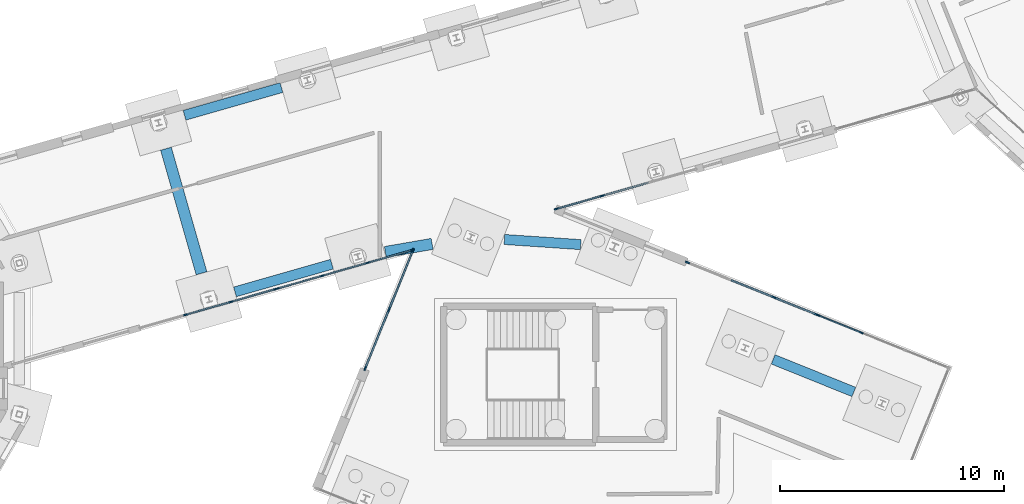
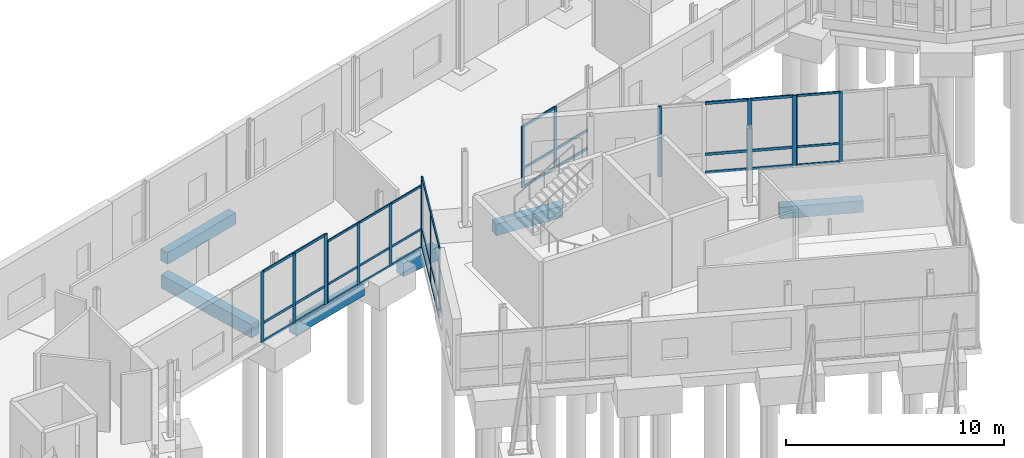
# One storey, part 42 of 113: 52 members, 6 beams, 6 elements without a shape of their own.
"""IFC4 building model written with IfcOpenShell, lengths in metres."""

from ifc_helpers import new_model, si_unit, direction, frame, origin, origin_2d, place, context, subcontext, project, spatial, rectangle, extrude, material, material_profile, profile_set, type_object, element, aggregate, save


model = new_model("IFC4")

# Units and contexts
model_context = context("Model", 3, precision=1e-05, world=origin(), true_north=direction((0.0, 1.0)))
body_context = subcontext(model_context, "Body", "Model", "MODEL_VIEW")
ifc_project = project(units=[si_unit("LENGTHUNIT", "METRE"), si_unit("AREAUNIT", "SQUARE_METRE"), si_unit("VOLUMEUNIT", "CUBIC_METRE"), si_unit("PLANEANGLEUNIT", "RADIAN"), si_unit("MASSUNIT", "GRAM", prefix="KILO")], contexts=[model_context])

# Site, building, storey
site_placement = place(None, origin())
site = spatial("IfcSite", under=ifc_project, at=site_placement, CompositionType="ELEMENT")
building_placement = place(site_placement, origin())
building = spatial("IfcBuilding", under=site, at=building_placement, Name="Wrenclough Park School", CompositionType="ELEMENT")
storey_placement = place(building_placement, origin())
storey = spatial("IfcBuildingStorey", under=building, at=storey_placement, Name="L00", CompositionType="ELEMENT", Elevation=0.0)

# Curtain wall, members
ifc_material_1 = material(Name="Thermally broken aluminium and low-e glass curtain wall", Category="aluminium")
curtain_wall_type_1 = type_object("IfcCurtainWallType", Name="ENV-CW-09", PredefinedType="USERDEFINED", material=ifc_material_1)
curtain_wall_1_placement = place(storey_placement, origin())
curtain_wall_1 = element("IfcCurtainWall", 1, at=curtain_wall_1_placement, inside=storey, type_object=curtain_wall_type_1, Name="L00 recessed curtain wall assembly 072", ObjectType="CURTAIN WALL", PredefinedType="USERDEFINED")
ifc_material_2 = material(Name="Thermally broken anodised aluminium", Category="aluminium")
ifc_material_profile_1 = material_profile(ifc_material_2, rectangle(XDim=0.06005859375, YDim=0.159912109375, at=origin_2d()), Name="AL MULLION 60x160")
ifc_profile_set_1 = profile_set([ifc_material_profile_1], Name="Thermally broken anodised aluminium")
member_type_1 = type_object("IfcMemberType", Name="ENV-CWM-1", PredefinedType="MULLION", material=ifc_profile_set_1)
member_1_placement = place(storey_placement, frame((64.7919921875, 90.540771484375, 0.0), z_axis=(0.0, 0.0, 1.0), x_axis=(0.3746064653, 0.927183906329, 0.0)))
member_1 = element("IfcMember", 2, at=member_1_placement, type_object=member_type_1, Name="CW-09 mullion 1", PredefinedType="MULLION", context=body_context, shape_type="SweptSolid", body=[
    extrude(rectangle(XDim=0.06005859375, YDim=0.159912109375, at=origin_2d()), origin(), (0.0, 0.0, 1.0), 3.93994140625),
])
member_2_placement = place(storey_placement, frame((66.713134765625, 89.7646484375, 0.0), z_axis=(0.0, 0.0, 1.0), x_axis=(0.3746064653, 0.927183906329, 0.0)))
member_2 = element("IfcMember", 3, at=member_2_placement, type_object=member_type_1, Name="CW-09 mullion 2", PredefinedType="MULLION", context=body_context, shape_type="SweptSolid", body=[
    extrude(rectangle(XDim=0.06005859375, YDim=0.159912109375, at=origin_2d()), origin(), (0.0, 0.0, 1.0), 3.93994140625),
])

curtain_wall_type_2 = type_object("IfcCurtainWallType", Name="ENV-CW-15", PredefinedType="USERDEFINED", material=ifc_material_1)
curtain_wall_2_placement = place(storey_placement, origin())
curtain_wall_2 = element("IfcCurtainWall", 4, at=curtain_wall_2_placement, inside=storey, type_object=curtain_wall_type_2, Name="L00 recessed curtain wall assembly 078", ObjectType="CURTAIN WALL", PredefinedType="USERDEFINED")
member_3_placement = place(storey_placement, frame((46.657470703125, 93.45703125, 0.0), z_axis=(0.0, 0.0, 1.0), x_axis=(0.274710696459, -0.961526927991, 0.0)))
member_3 = element("IfcMember", 5, at=member_3_placement, type_object=member_type_1, Name="CW-15 mullion 1", PredefinedType="MULLION", context=body_context, shape_type="SweptSolid", body=[
    extrude(rectangle(XDim=0.06005859375, YDim=0.159912109375, at=origin_2d()), origin(), (0.0, 0.0, 1.0), 3.488525390625),
])
member_4_placement = place(storey_placement, frame((44.6572265625, 92.885498046875, 0.0), z_axis=(0.0, 0.0, 1.0), x_axis=(0.274710696459, -0.961526927991, 0.0)))
member_4 = element("IfcMember", 6, at=member_4_placement, type_object=member_type_1, Name="CW-15 mullion 2", PredefinedType="MULLION", context=body_context, shape_type="SweptSolid", body=[
    extrude(rectangle(XDim=0.06005859375, YDim=0.159912109375, at=origin_2d()), origin(), (0.0, 0.0, 1.0), 3.488525390625),
])
member_5_placement = place(storey_placement, frame((42.628173828125, 92.305908203125, 0.0), z_axis=(0.0, 0.0, 1.0), x_axis=(0.274710696459, -0.961526927991, 0.0)))
member_5 = element("IfcMember", 7, at=member_5_placement, type_object=member_type_1, Name="CW-15 mullion 3", PredefinedType="MULLION", context=body_context, shape_type="SweptSolid", body=[
    extrude(rectangle(XDim=0.06005859375, YDim=0.159912109375, at=origin_2d()), origin(), (0.0, 0.0, 1.0), 3.488525390625),
])
member_6_placement = place(storey_placement, frame((40.6279296875, 91.734375, 0.0), z_axis=(0.0, 0.0, 1.0), x_axis=(0.274710696459, -0.961526927991, 0.0)))
member_6 = element("IfcMember", 8, at=member_6_placement, type_object=member_type_1, Name="CW-15 mullion 4", PredefinedType="MULLION", context=body_context, shape_type="SweptSolid", body=[
    extrude(rectangle(XDim=0.06005859375, YDim=0.159912109375, at=origin_2d()), origin(), (0.0, 0.0, 1.0), 3.488525390625),
])

curtain_wall_type_3 = type_object("IfcCurtainWallType", Name="ENV-CW-07", PredefinedType="USERDEFINED", material=ifc_material_1)
curtain_wall_3_placement = place(storey_placement, origin())
curtain_wall_3 = element("IfcCurtainWall", 9, at=curtain_wall_3_placement, inside=storey, type_object=curtain_wall_type_3, Name="L00 recessed curtain wall assembly 070", ObjectType="CURTAIN WALL", PredefinedType="USERDEFINED")
ifc_material_profile_2 = material_profile(ifc_material_2, rectangle(XDim=0.06494140625, YDim=0.179931640625, at=origin_2d()), Name="AL MULLION 65x180")
ifc_profile_set_2 = profile_set([ifc_material_profile_2], Name="Thermally broken anodised aluminium")
member_type_2 = type_object("IfcMemberType", Name="ENV-CWM-2", PredefinedType="MULLION", material=ifc_profile_set_2)
member_7_placement = place(storey_placement, frame((55.13916015625, 95.880615234375, 0.0), z_axis=(0.0, 0.0, 1.0), x_axis=(0.274723159598, -0.961523367152, 0.0)))
member_7 = element("IfcMember", 10, at=member_7_placement, type_object=member_type_2, Name="CW-07 mullion 3", PredefinedType="MULLION", context=body_context, shape_type="SweptSolid", body=[
    extrude(rectangle(XDim=0.06494140625, YDim=0.179931640625, at=origin_2d()), origin(), (0.0, 0.0, 1.0), 3.44189453125),
])
member_8_placement = place(storey_placement, frame((53.0869140625, 95.294189453125, 0.0), z_axis=(0.0, 0.0, 1.0), x_axis=(0.274723159598, -0.961523367152, 0.0)))
member_8 = element("IfcMember", 11, at=member_8_placement, type_object=member_type_2, Name="CW-07 mullion 4", PredefinedType="MULLION", context=body_context, shape_type="SweptSolid", body=[
    extrude(rectangle(XDim=0.06494140625, YDim=0.179931640625, at=origin_2d()), origin(), (0.0, 0.0, 1.0), 3.44189453125),
])

curtain_wall_type_4 = type_object("IfcCurtainWallType", Name="ENV-CW-16", PredefinedType="USERDEFINED", material=ifc_material_1)
curtain_wall_4_placement = place(storey_placement, origin())
curtain_wall_4 = element("IfcCurtainWall", 12, at=curtain_wall_4_placement, inside=storey, type_object=curtain_wall_type_4, Name="L00 recessed curtain wall assembly 079", ObjectType="CURTAIN WALL", PredefinedType="USERDEFINED")
member_9_placement = place(storey_placement, frame((40.560302734375, 91.715087890625, 0.0), z_axis=(0.0, 0.0, 1.0), x_axis=(0.274721127899, -0.96152394764, 0.0)))
member_9 = element("IfcMember", 13, at=member_9_placement, type_object=member_type_2, Name="CW-16 mullion 1", PredefinedType="MULLION", context=body_context, shape_type="SweptSolid", body=[
    extrude(rectangle(XDim=0.06494140625, YDim=0.179931640625, at=origin_2d()), origin(), (0.0, 0.0, 1.0), 3.93994140625),
])
member_10_placement = place(storey_placement, frame((38.5625, 91.144287109375, 0.0), z_axis=(0.0, 0.0, 1.0), x_axis=(0.274721127899, -0.96152394764, 0.0)))
member_10 = element("IfcMember", 14, at=member_10_placement, type_object=member_type_2, Name="CW-16 mullion 2", PredefinedType="MULLION", context=body_context, shape_type="SweptSolid", body=[
    extrude(rectangle(XDim=0.06494140625, YDim=0.179931640625, at=origin_2d()), origin(), (0.0, 0.0, 1.0), 3.93994140625),
])
member_11_placement = place(storey_placement, frame((36.533447265625, 90.564453125, 0.0), z_axis=(0.0, 0.0, 1.0), x_axis=(0.274721127899, -0.96152394764, 0.0)))
member_11 = element("IfcMember", 15, at=member_11_placement, type_object=member_type_2, Name="CW-16 mullion 3", PredefinedType="MULLION", context=body_context, shape_type="SweptSolid", body=[
    extrude(rectangle(XDim=0.06494140625, YDim=0.179931640625, at=origin_2d()), origin(), (0.0, 0.0, 1.0), 3.93994140625),
])

curtain_wall_type_5 = type_object("IfcCurtainWallType", Name="ENV-CW-08", PredefinedType="USERDEFINED", material=ifc_material_1)
curtain_wall_5_placement = place(storey_placement, origin())
curtain_wall_5 = element("IfcCurtainWall", 16, at=curtain_wall_5_placement, inside=storey, type_object=curtain_wall_type_5, Name="L00 recessed curtain wall assembly 071", ObjectType="CURTAIN WALL", PredefinedType="USERDEFINED")
ifc_material_profile_3 = material_profile(ifc_material_2, rectangle(XDim=0.070068359375, YDim=0.199951171875, at=origin_2d()), Name="AL MULLION 70x200")
ifc_profile_set_3 = profile_set([ifc_material_profile_3], Name="Thermally broken anodised aluminium")
member_type_3 = type_object("IfcMemberType", Name="ENV-CWM-3", PredefinedType="MULLION", material=ifc_profile_set_3)
member_12_placement = place(storey_placement, frame((58.942138671875, 92.904296875, 0.0), z_axis=(0.0, 0.0, 1.0), x_axis=(0.374592832791, 0.927189414101, 0.0)))
member_12 = element("IfcMember", 17, at=member_12_placement, type_object=member_type_3, Name="CW-08 mullion 1", PredefinedType="MULLION", context=body_context, shape_type="SweptSolid", body=[
    extrude(rectangle(XDim=0.070068359375, YDim=0.199951171875, at=origin_2d()), origin(), (0.0, 0.0, 1.0), 3.93994140625),
])
member_13_placement = place(storey_placement, frame((62.8076171875, 91.342529296875, 0.0), z_axis=(0.0, 0.0, 1.0), x_axis=(0.374592832791, 0.927189414101, 0.0)))
member_13 = element("IfcMember", 18, at=member_13_placement, type_object=member_type_3, Name="CW-08 mullion 3", PredefinedType="MULLION", context=body_context, shape_type="SweptSolid", body=[
    extrude(rectangle(XDim=0.070068359375, YDim=0.199951171875, at=origin_2d()), origin(), (0.0, 0.0, 1.0), 3.93994140625),
])
member_14_placement = place(storey_placement, frame((64.724365234375, 90.568115234375, 0.0), z_axis=(0.0, 0.0, 1.0), x_axis=(0.374592832791, 0.927189414101, 0.0)))
member_14 = element("IfcMember", 19, at=member_14_placement, type_object=member_type_3, Name="CW-08 mullion 4", PredefinedType="MULLION", context=body_context, shape_type="SweptSolid", body=[
    extrude(rectangle(XDim=0.070068359375, YDim=0.199951171875, at=origin_2d()), origin(), (0.0, 0.0, 1.0), 3.93994140625),
])

curtain_wall_type_6 = type_object("IfcCurtainWallType", Name="ENV-CW-14", PredefinedType="USERDEFINED", material=ifc_material_1)
curtain_wall_6_placement = place(storey_placement, origin())
curtain_wall_6 = element("IfcCurtainWall", 20, at=curtain_wall_6_placement, inside=storey, type_object=curtain_wall_type_6, Name="L00 recessed curtain wall assembly 077", ObjectType="CURTAIN WALL", PredefinedType="USERDEFINED")
member_15_placement = place(storey_placement, frame((44.55224609375, 88.175048828125, 0.0), z_axis=(0.0, 0.0, 1.0), x_axis=(-0.927185036262, 0.374603668605, 0.0)))
member_15 = element("IfcMember", 21, at=member_15_placement, type_object=member_type_3, Name="CW-14 mullion 1", PredefinedType="MULLION", context=body_context, shape_type="SweptSolid", body=[
    extrude(rectangle(XDim=0.070068359375, YDim=0.199951171875, at=origin_2d()), origin(), (0.0, 0.0, 1.0), 3.93994140625),
])
member_16_placement = place(storey_placement, frame((45.61376953125, 90.802734375, 0.0), z_axis=(0.0, 0.0, 1.0), x_axis=(-0.927185036262, 0.374603668605, 0.0)))
member_16 = element("IfcMember", 22, at=member_16_placement, type_object=member_type_3, Name="CW-14 mullion 2", PredefinedType="MULLION", context=body_context, shape_type="SweptSolid", body=[
    extrude(rectangle(XDim=0.070068359375, YDim=0.199951171875, at=origin_2d()), origin(), (0.0, 0.0, 1.0), 3.93994140625),
])
member_17_placement = place(storey_placement, frame((46.67529296875, 93.43017578125, 0.0), z_axis=(0.0, 0.0, 1.0), x_axis=(-0.927185036262, 0.374603668605, 0.0)))
member_17 = element("IfcMember", 23, at=member_17_placement, type_object=member_type_3, Name="CW-14 mullion 3", PredefinedType="MULLION", context=body_context, shape_type="SweptSolid", body=[
    extrude(rectangle(XDim=0.070068359375, YDim=0.199951171875, at=origin_2d()), origin(), (0.0, 0.0, 1.0), 3.93994140625),
])

# Member
ifc_material_profile_4 = material_profile(ifc_material_2, rectangle(XDim=0.06005859375, YDim=0.1201171875, at=origin_2d()), Name="AL TRANSOM 60x120")
ifc_profile_set_4 = profile_set([ifc_material_profile_4], Name="Thermally broken anodised aluminium")
member_type_4 = type_object("IfcMemberType", Name="ENV-CWT-1", PredefinedType="USERDEFINED", material=ifc_profile_set_4)
member_18_placement = place(storey_placement, frame((64.81982421875, 90.529541015625, 0.030029296875), z_axis=(0.927190782918, -0.374589444689, 0.0), x_axis=(0.374589444689, 0.927190782918, 0.0)))
member_18 = element("IfcMember", 24, at=member_18_placement, type_object=member_type_4, Name="CW-09 transom 1.1", ObjectType="TRANSOM", PredefinedType="USERDEFINED", context=body_context, shape_type="SweptSolid", body=[
    extrude(rectangle(XDim=0.06005859375, YDim=0.1201171875, at=origin_2d()), origin(), (0.0, 0.0, 1.0), 2.011962890625),
])

member_19_placement = place(storey_placement, frame((64.81982421875, 90.529541015625, 1.050048828125), z_axis=(0.927190782918, -0.374589444689, 0.0), x_axis=(0.374589444689, 0.927190782918, 0.0)))
member_19 = element("IfcMember", 25, at=member_19_placement, type_object=member_type_4, Name="CW-09 transom 1.2", ObjectType="TRANSOM", PredefinedType="USERDEFINED", context=body_context, shape_type="SweptSolid", body=[
    extrude(rectangle(XDim=0.06005859375, YDim=0.1201171875, at=origin_2d()), origin(), (0.0, 0.0, 1.0), 2.011962890625),
])

member_20_placement = place(storey_placement, frame((64.81982421875, 90.529541015625, 3.909912109375), z_axis=(0.927190782918, -0.374589444689, 0.0), x_axis=(0.374589444689, 0.927190782918, 0.0)))
member_20 = element("IfcMember", 26, at=member_20_placement, type_object=member_type_4, Name="CW-09 transom 1.3", ObjectType="TRANSOM", PredefinedType="USERDEFINED", context=body_context, shape_type="SweptSolid", body=[
    extrude(rectangle(XDim=0.06005859375, YDim=0.1201171875, at=origin_2d()), origin(), (0.0, 0.0, 1.0), 2.011962890625),
])

aggregate(curtain_wall_1, [member_1, member_2, member_18, member_19, member_20])

member_21_placement = place(storey_placement, frame((46.62841796875, 93.44873046875, 0.030029296875), z_axis=(-0.961528508103, -0.274705165777, 0.0), x_axis=(0.274705165777, -0.961528508103, 0.0)))
member_21 = element("IfcMember", 27, at=member_21_placement, type_object=member_type_4, Name="CW-15 transom 1.1", ObjectType="TRANSOM", PredefinedType="USERDEFINED", context=body_context, shape_type="SweptSolid", body=[
    extrude(rectangle(XDim=0.06005859375, YDim=0.1201171875, at=origin_2d()), origin(), (0.0, 0.0, 1.0), 2.02001953125),
])

member_22_placement = place(storey_placement, frame((46.62841796875, 93.44873046875, 1.050048828125), z_axis=(-0.961528508103, -0.274705165777, 0.0), x_axis=(0.274705165777, -0.961528508103, 0.0)))
member_22 = element("IfcMember", 28, at=member_22_placement, type_object=member_type_4, Name="CW-15 transom 1.2", ObjectType="TRANSOM", PredefinedType="USERDEFINED", context=body_context, shape_type="SweptSolid", body=[
    extrude(rectangle(XDim=0.06005859375, YDim=0.1201171875, at=origin_2d()), origin(), (0.0, 0.0, 1.0), 2.02001953125),
])

member_23_placement = place(storey_placement, frame((46.62841796875, 93.44873046875, 3.45849609375), z_axis=(-0.961528508103, -0.274705165777, 0.0), x_axis=(0.274705165777, -0.961528508103, 0.0)))
member_23 = element("IfcMember", 29, at=member_23_placement, type_object=member_type_4, Name="CW-15 transom 1.3", ObjectType="TRANSOM", PredefinedType="USERDEFINED", context=body_context, shape_type="SweptSolid", body=[
    extrude(rectangle(XDim=0.06005859375, YDim=0.1201171875, at=origin_2d()), origin(), (0.0, 0.0, 1.0), 2.02001953125),
])

member_24_placement = place(storey_placement, frame((44.62841796875, 92.87744140625, 0.030029296875), z_axis=(-0.961528440898, -0.27470540101, 0.0), x_axis=(0.27470540101, -0.961528440898, 0.0)))
member_24 = element("IfcMember", 30, at=member_24_placement, type_object=member_type_4, Name="CW-15 transom 2.1", ObjectType="TRANSOM", PredefinedType="USERDEFINED", context=body_context, shape_type="SweptSolid", body=[
    extrude(rectangle(XDim=0.06005859375, YDim=0.1201171875, at=origin_2d()), origin(), (0.0, 0.0, 1.0), 2.05029296875),
])

member_25_placement = place(storey_placement, frame((44.62841796875, 92.87744140625, 1.050048828125), z_axis=(-0.961528440898, -0.27470540101, 0.0), x_axis=(0.27470540101, -0.961528440898, 0.0)))
member_25 = element("IfcMember", 31, at=member_25_placement, type_object=member_type_4, Name="CW-15 transom 2.2", ObjectType="TRANSOM", PredefinedType="USERDEFINED", context=body_context, shape_type="SweptSolid", body=[
    extrude(rectangle(XDim=0.06005859375, YDim=0.1201171875, at=origin_2d()), origin(), (0.0, 0.0, 1.0), 2.05029296875),
])

member_26_placement = place(storey_placement, frame((44.62841796875, 92.87744140625, 3.45849609375), z_axis=(-0.961528440898, -0.27470540101, 0.0), x_axis=(0.27470540101, -0.961528440898, 0.0)))
member_26 = element("IfcMember", 32, at=member_26_placement, type_object=member_type_4, Name="CW-15 transom 2.3", ObjectType="TRANSOM", PredefinedType="USERDEFINED", context=body_context, shape_type="SweptSolid", body=[
    extrude(rectangle(XDim=0.06005859375, YDim=0.1201171875, at=origin_2d()), origin(), (0.0, 0.0, 1.0), 2.05029296875),
])

member_27_placement = place(storey_placement, frame((42.599365234375, 92.297607421875, 0.030029296875), z_axis=(-0.961537626644, -0.274673246872, 0.0), x_axis=(0.274673246872, -0.961537626644, 0.0)))
member_27 = element("IfcMember", 33, at=member_27_placement, type_object=member_type_4, Name="CW-15 transom 3.1", ObjectType="TRANSOM", PredefinedType="USERDEFINED", context=body_context, shape_type="SweptSolid", body=[
    extrude(rectangle(XDim=0.06005859375, YDim=0.1201171875, at=origin_2d()), origin(), (0.0, 0.0, 1.0), 2.020263671875),
])

member_28_placement = place(storey_placement, frame((42.599365234375, 92.297607421875, 1.050048828125), z_axis=(-0.961537626644, -0.274673246872, 0.0), x_axis=(0.274673246872, -0.961537626644, 0.0)))
member_28 = element("IfcMember", 34, at=member_28_placement, type_object=member_type_4, Name="CW-15 transom 3.2", ObjectType="TRANSOM", PredefinedType="USERDEFINED", context=body_context, shape_type="SweptSolid", body=[
    extrude(rectangle(XDim=0.06005859375, YDim=0.1201171875, at=origin_2d()), origin(), (0.0, 0.0, 1.0), 2.020263671875),
])

member_29_placement = place(storey_placement, frame((42.599365234375, 92.297607421875, 3.45849609375), z_axis=(-0.961537626644, -0.274673246872, 0.0), x_axis=(0.274673246872, -0.961537626644, 0.0)))
member_29 = element("IfcMember", 35, at=member_29_placement, type_object=member_type_4, Name="CW-15 transom 3.3", ObjectType="TRANSOM", PredefinedType="USERDEFINED", context=body_context, shape_type="SweptSolid", body=[
    extrude(rectangle(XDim=0.06005859375, YDim=0.1201171875, at=origin_2d()), origin(), (0.0, 0.0, 1.0), 2.020263671875),
])

aggregate(curtain_wall_2, [member_3, member_4, member_5, member_6, member_21, member_22, member_23, member_24, member_25, member_26, member_27, member_28, member_29])

ifc_material_profile_5 = material_profile(ifc_material_2, rectangle(XDim=0.06494140625, YDim=0.139892578125, at=origin_2d()), Name="AL TRANSOM 65x140")
ifc_profile_set_5 = profile_set([ifc_material_profile_5], Name="Thermally broken anodised aluminium")
member_type_5 = type_object("IfcMemberType", Name="ENV-CWT-2", PredefinedType="USERDEFINED", material=ifc_profile_set_5)
member_30_placement = place(storey_placement, frame((57.19140625, 96.466796875, 0.032470703125), z_axis=(-0.961528330713, -0.27470578668, 0.0), x_axis=(0.27470578668, -0.961528330713, 0.0)))
member_30 = element("IfcMember", 36, at=member_30_placement, type_object=member_type_5, Name="CW-07 transom 2.1", ObjectType="TRANSOM", PredefinedType="USERDEFINED", context=body_context, shape_type="SweptSolid", body=[
    extrude(rectangle(XDim=0.06494140625, YDim=0.139892578125, at=origin_2d()), origin(), (0.0, 0.0, 1.0), 2.101806640625),
])

member_31_placement = place(storey_placement, frame((57.19140625, 96.466796875, 1.050048828125), z_axis=(-0.961528330713, -0.27470578668, 0.0), x_axis=(0.27470578668, -0.961528330713, 0.0)))
member_31 = element("IfcMember", 37, at=member_31_placement, type_object=member_type_5, Name="CW-07 transom 2.2", ObjectType="TRANSOM", PredefinedType="USERDEFINED", context=body_context, shape_type="SweptSolid", body=[
    extrude(rectangle(XDim=0.06494140625, YDim=0.139892578125, at=origin_2d()), origin(), (0.0, 0.0, 1.0), 2.101806640625),
])

member_32_placement = place(storey_placement, frame((55.10791015625, 95.87158203125, 0.032470703125), z_axis=(-0.961510590645, -0.274767873081, 0.0), x_axis=(0.274767873081, -0.961510590645, 0.0)))
member_32 = element("IfcMember", 38, at=member_32_placement, type_object=member_type_5, Name="CW-07 transom 3.1", ObjectType="TRANSOM", PredefinedType="USERDEFINED", context=body_context, shape_type="SweptSolid", body=[
    extrude(rectangle(XDim=0.06494140625, YDim=0.139892578125, at=origin_2d()), origin(), (0.0, 0.0, 1.0), 2.0693359375),
])

member_33_placement = place(storey_placement, frame((55.10791015625, 95.87158203125, 1.050048828125), z_axis=(-0.961510590645, -0.274767873081, 0.0), x_axis=(0.274767873081, -0.961510590645, 0.0)))
member_33 = element("IfcMember", 39, at=member_33_placement, type_object=member_type_5, Name="CW-07 transom 3.2", ObjectType="TRANSOM", PredefinedType="USERDEFINED", context=body_context, shape_type="SweptSolid", body=[
    extrude(rectangle(XDim=0.06494140625, YDim=0.139892578125, at=origin_2d()), origin(), (0.0, 0.0, 1.0), 2.0693359375),
])

member_34_placement = place(storey_placement, frame((55.10791015625, 95.87158203125, 3.409423828125), z_axis=(-0.961510590645, -0.274767873081, 0.0), x_axis=(0.274767873081, -0.961510590645, 0.0)))
member_34 = element("IfcMember", 40, at=member_34_placement, type_object=member_type_5, Name="CW-07 transom 3.3", ObjectType="TRANSOM", PredefinedType="USERDEFINED", context=body_context, shape_type="SweptSolid", body=[
    extrude(rectangle(XDim=0.06494140625, YDim=0.139892578125, at=origin_2d()), origin(), (0.0, 0.0, 1.0), 2.0693359375),
])

aggregate(curtain_wall_3, [member_7, member_8, member_30, member_31, member_32, member_33, member_34])

member_35_placement = place(storey_placement, frame((40.529052734375, 91.7060546875, 0.032470703125), z_axis=(-0.961519370271, -0.274737148185, 0.0), x_axis=(0.274737148185, -0.961519370271, 0.0)))
member_35 = element("IfcMember", 41, at=member_35_placement, type_object=member_type_5, Name="CW-16 transom 1.1", ObjectType="TRANSOM", PredefinedType="USERDEFINED", context=body_context, shape_type="SweptSolid", body=[
    extrude(rectangle(XDim=0.06494140625, YDim=0.139892578125, at=origin_2d()), origin(), (0.0, 0.0, 1.0), 2.0126953125),
])

member_36_placement = place(storey_placement, frame((40.529052734375, 91.7060546875, 1.050048828125), z_axis=(-0.961519370271, -0.274737148185, 0.0), x_axis=(0.274737148185, -0.961519370271, 0.0)))
member_36 = element("IfcMember", 42, at=member_36_placement, type_object=member_type_5, Name="CW-16 transom 1.2", ObjectType="TRANSOM", PredefinedType="USERDEFINED", context=body_context, shape_type="SweptSolid", body=[
    extrude(rectangle(XDim=0.06494140625, YDim=0.139892578125, at=origin_2d()), origin(), (0.0, 0.0, 1.0), 2.0126953125),
])

member_37_placement = place(storey_placement, frame((40.529052734375, 91.7060546875, 3.907470703125), z_axis=(-0.961519370271, -0.274737148185, 0.0), x_axis=(0.274737148185, -0.961519370271, 0.0)))
member_37 = element("IfcMember", 43, at=member_37_placement, type_object=member_type_5, Name="CW-16 transom 1.3", ObjectType="TRANSOM", PredefinedType="USERDEFINED", context=body_context, shape_type="SweptSolid", body=[
    extrude(rectangle(XDim=0.06494140625, YDim=0.139892578125, at=origin_2d()), origin(), (0.0, 0.0, 1.0), 2.0126953125),
])

member_38_placement = place(storey_placement, frame((38.53125, 91.13525390625, 0.032470703125), z_axis=(-0.961537460233, -0.274673829422, 0.0), x_axis=(0.274673829422, -0.961537460233, 0.0)))
member_38 = element("IfcMember", 44, at=member_38_placement, type_object=member_type_5, Name="CW-16 transom 2.1", ObjectType="TRANSOM", PredefinedType="USERDEFINED", context=body_context, shape_type="SweptSolid", body=[
    extrude(rectangle(XDim=0.06494140625, YDim=0.139892578125, at=origin_2d()), origin(), (0.0, 0.0, 1.0), 2.045166015625),
])

member_39_placement = place(storey_placement, frame((38.53125, 91.13525390625, 1.050048828125), z_axis=(-0.961537460233, -0.274673829422, 0.0), x_axis=(0.274673829422, -0.961537460233, 0.0)))
member_39 = element("IfcMember", 45, at=member_39_placement, type_object=member_type_5, Name="CW-16 transom 2.2", ObjectType="TRANSOM", PredefinedType="USERDEFINED", context=body_context, shape_type="SweptSolid", body=[
    extrude(rectangle(XDim=0.06494140625, YDim=0.139892578125, at=origin_2d()), origin(), (0.0, 0.0, 1.0), 2.045166015625),
])

member_40_placement = place(storey_placement, frame((38.53125, 91.13525390625, 3.907470703125), z_axis=(-0.961537460233, -0.274673829422, 0.0), x_axis=(0.274673829422, -0.961537460233, 0.0)))
member_40 = element("IfcMember", 46, at=member_40_placement, type_object=member_type_5, Name="CW-16 transom 2.3", ObjectType="TRANSOM", PredefinedType="USERDEFINED", context=body_context, shape_type="SweptSolid", body=[
    extrude(rectangle(XDim=0.06494140625, YDim=0.139892578125, at=origin_2d()), origin(), (0.0, 0.0, 1.0), 2.045166015625),
])

aggregate(curtain_wall_4, [member_9, member_10, member_11, member_35, member_36, member_37, member_38, member_39, member_40])

ifc_material_profile_6 = material_profile(ifc_material_2, rectangle(XDim=0.070068359375, YDim=0.14990234375, at=origin_2d()), Name="AL TRANSOM 70x150")
ifc_profile_set_6 = profile_set([ifc_material_profile_6], Name="Thermally broken anodised aluminium")
member_type_6 = type_object("IfcMemberType", Name="ENV-CWT-3", PredefinedType="USERDEFINED", material=ifc_profile_set_6)
member_41_placement = place(storey_placement, frame((60.89111328125, 92.11669921875, 0.034912109375), z_axis=(0.927237023809, -0.374474968025, 0.0), x_axis=(0.374474968025, 0.927237023809, 0.0)))
member_41 = element("IfcMember", 47, at=member_41_placement, type_object=member_type_6, Name="CW-08 transom 2.1", ObjectType="TRANSOM", PredefinedType="USERDEFINED", context=body_context, shape_type="SweptSolid", body=[
    extrude(rectangle(XDim=0.070068359375, YDim=0.14990234375, at=origin_2d()), origin(), (0.0, 0.0, 1.0), 2.0322265625),
])

member_42_placement = place(storey_placement, frame((60.89111328125, 92.11669921875, 1.050048828125), z_axis=(0.927237023809, -0.374474968025, 0.0), x_axis=(0.374474968025, 0.927237023809, 0.0)))
member_42 = element("IfcMember", 48, at=member_42_placement, type_object=member_type_6, Name="CW-08 transom 2.2", ObjectType="TRANSOM", PredefinedType="USERDEFINED", context=body_context, shape_type="SweptSolid", body=[
    extrude(rectangle(XDim=0.070068359375, YDim=0.14990234375, at=origin_2d()), origin(), (0.0, 0.0, 1.0), 2.0322265625),
])

member_43_placement = place(storey_placement, frame((60.89111328125, 92.11669921875, 3.905029296875), z_axis=(0.927237023809, -0.374474968025, 0.0), x_axis=(0.374474968025, 0.927237023809, 0.0)))
member_43 = element("IfcMember", 49, at=member_43_placement, type_object=member_type_6, Name="CW-08 transom 2.3", ObjectType="TRANSOM", PredefinedType="USERDEFINED", context=body_context, shape_type="SweptSolid", body=[
    extrude(rectangle(XDim=0.070068359375, YDim=0.14990234375, at=origin_2d()), origin(), (0.0, 0.0, 1.0), 2.0322265625),
])

member_44_placement = place(storey_placement, frame((62.840087890625, 91.329345703125, 0.034912109375), z_axis=(0.927206734572, -0.374549958435, 0.0), x_axis=(0.374549958435, 0.927206734572, 0.0)))
member_44 = element("IfcMember", 50, at=member_44_placement, type_object=member_type_6, Name="CW-08 transom 3.1", ObjectType="TRANSOM", PredefinedType="USERDEFINED", context=body_context, shape_type="SweptSolid", body=[
    extrude(rectangle(XDim=0.070068359375, YDim=0.14990234375, at=origin_2d()), origin(), (0.0, 0.0, 1.0), 1.9970703125),
])

member_45_placement = place(storey_placement, frame((62.840087890625, 91.329345703125, 1.050048828125), z_axis=(0.927206734572, -0.374549958435, 0.0), x_axis=(0.374549958435, 0.927206734572, 0.0)))
member_45 = element("IfcMember", 51, at=member_45_placement, type_object=member_type_6, Name="CW-08 transom 3.2", ObjectType="TRANSOM", PredefinedType="USERDEFINED", context=body_context, shape_type="SweptSolid", body=[
    extrude(rectangle(XDim=0.070068359375, YDim=0.14990234375, at=origin_2d()), origin(), (0.0, 0.0, 1.0), 1.9970703125),
])

member_46_placement = place(storey_placement, frame((62.840087890625, 91.329345703125, 3.905029296875), z_axis=(0.927206734572, -0.374549958435, 0.0), x_axis=(0.374549958435, 0.927206734572, 0.0)))
member_46 = element("IfcMember", 52, at=member_46_placement, type_object=member_type_6, Name="CW-08 transom 3.3", ObjectType="TRANSOM", PredefinedType="USERDEFINED", context=body_context, shape_type="SweptSolid", body=[
    extrude(rectangle(XDim=0.070068359375, YDim=0.14990234375, at=origin_2d()), origin(), (0.0, 0.0, 1.0), 1.9970703125),
])

aggregate(curtain_wall_5, [member_12, member_13, member_14, member_41, member_42, member_43, member_44, member_45, member_46])

member_47_placement = place(storey_placement, frame((44.5654296875, 88.20751953125, 0.034912109375), z_axis=(0.374525849819, 0.927216473008, 0.0), x_axis=(-0.927216473008, 0.374525849819, 0.0)))
member_47 = element("IfcMember", 53, at=member_47_placement, type_object=member_type_6, Name="CW-14 transom 1.1", ObjectType="TRANSOM", PredefinedType="USERDEFINED", context=body_context, shape_type="SweptSolid", body=[
    extrude(rectangle(XDim=0.070068359375, YDim=0.14990234375, at=origin_2d()), origin(), (0.0, 0.0, 1.0), 2.763916015625),
])

member_48_placement = place(storey_placement, frame((44.5654296875, 88.20751953125, 1.050048828125), z_axis=(0.374525849819, 0.927216473008, 0.0), x_axis=(-0.927216473008, 0.374525849819, 0.0)))
member_48 = element("IfcMember", 54, at=member_48_placement, type_object=member_type_6, Name="CW-14 transom 1.2", ObjectType="TRANSOM", PredefinedType="USERDEFINED", context=body_context, shape_type="SweptSolid", body=[
    extrude(rectangle(XDim=0.070068359375, YDim=0.14990234375, at=origin_2d()), origin(), (0.0, 0.0, 1.0), 2.763916015625),
])

member_49_placement = place(storey_placement, frame((44.5654296875, 88.20751953125, 3.905029296875), z_axis=(0.374525849819, 0.927216473008, 0.0), x_axis=(-0.927216473008, 0.374525849819, 0.0)))
member_49 = element("IfcMember", 55, at=member_49_placement, type_object=member_type_6, Name="CW-14 transom 1.3", ObjectType="TRANSOM", PredefinedType="USERDEFINED", context=body_context, shape_type="SweptSolid", body=[
    extrude(rectangle(XDim=0.070068359375, YDim=0.14990234375, at=origin_2d()), origin(), (0.0, 0.0, 1.0), 2.763916015625),
])

member_50_placement = place(storey_placement, frame((45.626953125, 90.835205078125, 0.034912109375), z_axis=(0.374632468479, 0.927173399943, 0.0), x_axis=(-0.927173399943, 0.374632468479, 0.0)))
member_50 = element("IfcMember", 56, at=member_50_placement, type_object=member_type_6, Name="CW-14 transom 2.1", ObjectType="TRANSOM", PredefinedType="USERDEFINED", context=body_context, shape_type="SweptSolid", body=[
    extrude(rectangle(XDim=0.070068359375, YDim=0.14990234375, at=origin_2d()), origin(), (0.0, 0.0, 1.0), 2.763671875),
])

member_51_placement = place(storey_placement, frame((45.626953125, 90.835205078125, 1.050048828125), z_axis=(0.374632468479, 0.927173399943, 0.0), x_axis=(-0.927173399943, 0.374632468479, 0.0)))
member_51 = element("IfcMember", 57, at=member_51_placement, type_object=member_type_6, Name="CW-14 transom 2.2", ObjectType="TRANSOM", PredefinedType="USERDEFINED", context=body_context, shape_type="SweptSolid", body=[
    extrude(rectangle(XDim=0.070068359375, YDim=0.14990234375, at=origin_2d()), origin(), (0.0, 0.0, 1.0), 2.763671875),
])

member_52_placement = place(storey_placement, frame((45.626953125, 90.835205078125, 3.905029296875), z_axis=(0.374632468479, 0.927173399943, 0.0), x_axis=(-0.927173399943, 0.374632468479, 0.0)))
member_52 = element("IfcMember", 58, at=member_52_placement, type_object=member_type_6, Name="CW-14 transom 2.3", ObjectType="TRANSOM", PredefinedType="USERDEFINED", context=body_context, shape_type="SweptSolid", body=[
    extrude(rectangle(XDim=0.070068359375, YDim=0.14990234375, at=origin_2d()), origin(), (0.0, 0.0, 1.0), 2.763671875),
])

aggregate(curtain_wall_6, [member_15, member_16, member_17, member_47, member_48, member_49, member_50, member_51, member_52])

# Beams
ifc_material_3 = material(Name="Concrete C35/45", Category="concrete")
ifc_material_profile_7 = material_profile(ifc_material_3, rectangle(XDim=0.449951171875, YDim=0.64990234375, at=origin_2d()), Name="RC GROUND 450x650")
ifc_profile_set_7 = profile_set([ifc_material_profile_7], Name="Concrete C35/45")
beam_type_1 = type_object("IfcBeamType", Name="STR-BM-GTB1", PredefinedType="USERDEFINED", material=ifc_profile_set_7)
beam_1_placement = place(storey_placement, frame((50.7666015625, 93.92919921875, -0.625), z_axis=(0.997747381056, -0.067083258686, 0.0), x_axis=(0.067083258686, 0.997747381056, 0.0)))
element("IfcBeam", 59, at=beam_1_placement, inside=storey, type_object=beam_type_1, Name="Reinforced concrete ground tie beam 029", ObjectType="GROUND TIE BEAM", PredefinedType="USERDEFINED", context=body_context, shape_type="SweptSolid", body=[
    extrude(rectangle(XDim=0.449951171875, YDim=0.64990234375, at=origin_2d()), origin(), (0.0, 0.0, 1.0), 3.41748046875),
])
beam_2_placement = place(storey_placement, frame((62.766845703125, 88.576416015625, -0.625), z_axis=(0.927192300124, -0.37458568925, 0.0), x_axis=(0.37458568925, 0.927192300124, 0.0)))
element("IfcBeam", 60, at=beam_2_placement, inside=storey, type_object=beam_type_1, Name="Reinforced concrete ground tie beam 031", ObjectType="GROUND TIE BEAM", PredefinedType="USERDEFINED", context=body_context, shape_type="SweptSolid", body=[
    extrude(rectangle(XDim=0.449951171875, YDim=0.64990234375, at=origin_2d()), origin(), (0.0, 0.0, 1.0), 3.8837890625),
])
beam_3_placement = place(storey_placement, frame((36.485107421875, 99.47412109375, -0.625), z_axis=(0.961534183476, 0.274685299946, 0.0), x_axis=(-0.274685299946, 0.961534183476, 0.0)))
element("IfcBeam", 61, at=beam_3_placement, inside=storey, type_object=beam_type_1, Name="Reinforced concrete ground tie beam 139", ObjectType="GROUND TIE BEAM", PredefinedType="USERDEFINED", context=body_context, shape_type="SweptSolid", body=[
    extrude(rectangle(XDim=0.449951171875, YDim=0.64990234375, at=origin_2d()), origin(), (0.0, 0.0, 1.0), 4.5),
])
beam_4_placement = place(storey_placement, frame((38.73779296875, 91.589599609375, -0.625), z_axis=(0.961523947641, 0.274721127897, 0.0), x_axis=(-0.274721127897, 0.961523947641, 0.0)))
element("IfcBeam", 62, at=beam_4_placement, inside=storey, type_object=beam_type_1, Name="Reinforced concrete ground tie beam 141", ObjectType="GROUND TIE BEAM", PredefinedType="USERDEFINED", context=body_context, shape_type="SweptSolid", body=[
    extrude(rectangle(XDim=0.449951171875, YDim=0.64990234375, at=origin_2d()), origin(), (0.0, 0.0, 1.0), 4.500244140625),
])
ifc_material_profile_8 = material_profile(ifc_material_3, rectangle(XDim=0.5, YDim=0.75, at=origin_2d()), Name="RC GROUND 500x750")
ifc_profile_set_8 = profile_set([ifc_material_profile_8], Name="Concrete C35/45")
beam_type_2 = type_object("IfcBeamType", Name="STR-BM-GTB2", PredefinedType="USERDEFINED", material=ifc_profile_set_8)
beam_5_placement = place(storey_placement, frame((47.540283203125, 93.73095703125, -0.675048828125), z_axis=(-0.98537022218, -0.170427477951, 0.0), x_axis=(0.170427477951, -0.98537022218, 0.0)))
element("IfcBeam", 63, at=beam_5_placement, inside=storey, type_object=beam_type_2, Name="Reinforced concrete ground tie beam 028", ObjectType="GROUND TIE BEAM", PredefinedType="USERDEFINED", context=body_context, shape_type="SweptSolid", body=[
    extrude(rectangle(XDim=0.5, YDim=0.75, at=origin_2d()), origin(), (0.0, 0.0, 1.0), 2.1201171875),
])
beam_6_placement = place(storey_placement, frame((35.655517578125, 97.980712890625, -0.675048828125), z_axis=(0.274698828514, -0.961530318614, 0.0), x_axis=(0.961530318614, 0.274698828514, 0.0)))
element("IfcBeam", 64, at=beam_6_placement, inside=storey, type_object=beam_type_2, Name="Reinforced concrete ground tie beam 140", ObjectType="GROUND TIE BEAM", PredefinedType="USERDEFINED", context=body_context, shape_type="SweptSolid", body=[
    extrude(rectangle(XDim=0.5, YDim=0.75, at=origin_2d()), origin(), (0.0, 0.0, 1.0), 5.783935546875),
])

save(model, "model.ifc")
